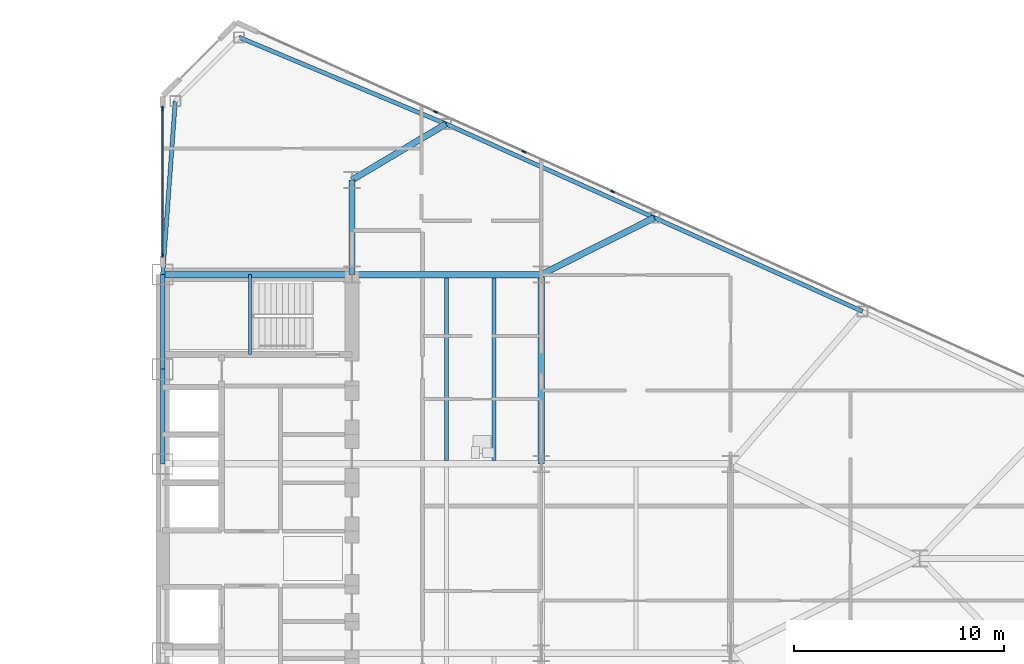
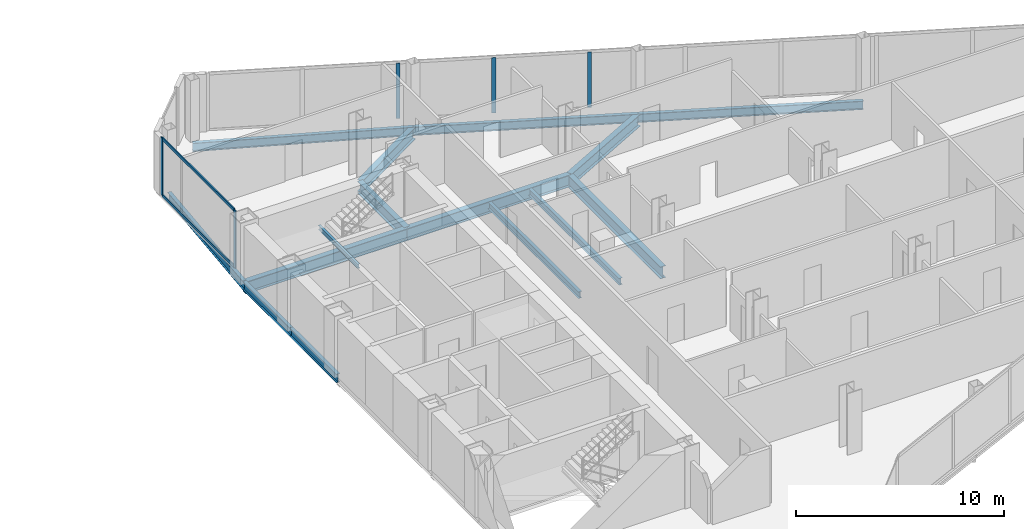
# One storey, part 13 of 27: 15 beams, 7 members, 2 elements without a shape of their own.
"""IFC4 building model written with IfcOpenShell, lengths in metres."""

from ifc_helpers import new_model, si_unit, direction, frame, origin, origin_2d, place, context, subcontext, project, spatial, rectangle, i_section, extrude, source, transform, mapped, material, layer, layer_set, material_profile, profile_set, type_object, type_shapes, element, aggregate, save


model = new_model("IFC4")

# Units and contexts
model_context = context("Model", 3, precision=1e-05, world=origin(), true_north=direction((0.0, 1.0)))
body_context = subcontext(model_context, "Body", "Model", "MODEL_VIEW")
ifc_project = project(units=[si_unit("LENGTHUNIT", "METRE"), si_unit("AREAUNIT", "SQUARE_METRE"), si_unit("VOLUMEUNIT", "CUBIC_METRE"), si_unit("PLANEANGLEUNIT", "RADIAN"), si_unit("MASSUNIT", "GRAM", prefix="KILO")], contexts=[model_context])

# Site, building, storey
site_placement = place(None, origin())
site = spatial("IfcSite", under=ifc_project, at=site_placement, CompositionType="ELEMENT")
building_placement = place(site_placement, origin())
building = spatial("IfcBuilding", under=site, at=building_placement, Name="Seokmaru Belvedere", CompositionType="ELEMENT")
storey_placement = place(building_placement, frame((0.0, 0.0, 103.199951171875)))
storey = spatial("IfcBuildingStorey", under=building, at=storey_placement, Name="L27", CompositionType="ELEMENT", Elevation=103.199951171875)

# Beams
ifc_material_1 = material(Name="Steel SM355 (355 MPa)", Category="steel")
ifc_material_profile_1 = material_profile(ifc_material_1, i_section(OverallWidth=0.199951171875, OverallDepth=0.5, WebThickness=0.010009765625, FlangeThickness=0.01611328125, at=origin_2d()), Name="H-500x200x10x16")
ifc_profile_set_1 = profile_set([ifc_material_profile_1], Name="Steel SM355 (355 MPa)")
beam_type_1 = type_object("IfcBeamType", Name="Perimeter Spandrel Beam H-500", PredefinedType="SPANDREL", material=ifc_profile_set_1)
shared_shape_1 = source(origin(), body_context, "Body", "SweptSolid", [
    extrude(i_section(OverallWidth=0.199951171875, OverallDepth=0.5, WebThickness=0.010009765625, FlangeThickness=0.01611328125, at=origin_2d()), origin(), (0.0, 0.0, 1.0), 4.5),
])
for number, where, z_axis, x_axis, name in (
    (1, (27.5, 4.5, -0.469970703125), (0.0, 1.0, 0.0), (-1.0, 0.0, 0.0), "L27 E Portal Spine Spandrel 4"),
    (2, (27.5, 9.0, -0.469970703125), (0.0, 1.0, 0.0), (-1.0, 0.0, 0.0), "L27 E Portal Spine Spandrel 5"),
):
    element("IfcBeam", number, at=place(storey_placement, frame(where, z_axis=z_axis, x_axis=x_axis)), inside=storey, type_object=beam_type_1, Name=name, PredefinedType="SPANDREL", context=body_context, shape_type="MappedRepresentation", body=[
        mapped(shared_shape_1, transform((0.0, 0.0, 0.0), scale=1.0)),
    ])
ifc_material_profile_2 = material_profile(ifc_material_1, i_section(OverallWidth=0.300048828125, OverallDepth=0.699951171875, WebThickness=0.012939453125, FlangeThickness=0.02392578125, at=origin_2d()), Name="H-700x300x13x24")
ifc_profile_set_2 = profile_set([ifc_material_profile_2], Name="Steel SM355 (355 MPa)")
beam_type_2 = type_object("IfcBeamType", Name="Primary Floor Girder H-700", PredefinedType="BEAM", material=ifc_profile_set_2)
shared_shape_2 = source(origin(), body_context, "Body", "SweptSolid", [
    extrude(i_section(OverallWidth=0.300048828125, OverallDepth=0.699951171875, WebThickness=0.012939453125, FlangeThickness=0.02392578125, at=origin_2d()), origin(), (0.0, 0.0, 1.0), 4.5),
])
beam_1_placement = place(storey_placement, frame((36.5, 13.5, -0.570068359375), z_axis=(0.0, 1.0, 0.0), x_axis=(-1.0, 0.0, 0.0)))
element("IfcBeam", 3, at=beam_1_placement, inside=storey, type_object=beam_type_2, Name="L27 E Core Shoulder Girder N", PredefinedType="BEAM", context=body_context, shape_type="MappedRepresentation", body=[
    mapped(shared_shape_2, transform((0.0, 0.0, 0.0), scale=1.0)),
])
shared_shape_3 = source(origin(), body_context, "Body", "SweptSolid", [
    extrude(i_section(OverallWidth=0.300048828125, OverallDepth=0.699951171875, WebThickness=0.012939453125, FlangeThickness=0.02392578125, at=origin_2d()), origin(), (0.0, 0.0, 1.0), 9.0),
])
for number, where, z_axis, x_axis, name in (
    (4, (45.5, 4.5, -0.570068359375), (0.0, 1.0, 0.0), (-1.0, 0.0, 0.0), "L27 E Interior Grid Girder 3"),
    (5, (27.5, 13.5, -0.570068359375), (1.0, 0.0, 0.0), (0.0, 1.0, 0.0), "L27 E Core Tie Girder 4"),
    (6, (36.5, 13.5, -0.570068359375), (1.0, 0.0, 0.0), (0.0, 1.0, 0.0), "L27 E Wing Primary Girder 4"),
):
    element("IfcBeam", number, at=place(storey_placement, frame(where, z_axis=z_axis, x_axis=x_axis)), inside=storey, type_object=beam_type_2, Name=name, PredefinedType="BEAM", context=body_context, shape_type="MappedRepresentation", body=[
        mapped(shared_shape_3, transform((0.0, 0.0, 0.0), scale=1.0)),
    ])
ifc_material_profile_3 = material_profile(ifc_material_1, i_section(OverallWidth=0.18505859375, OverallDepth=0.389892578125, WebThickness=0.008056640625, FlangeThickness=0.011962890625, at=origin_2d()), Name="H-390x185x8x12")
ifc_profile_set_3 = profile_set([ifc_material_profile_3], Name="Steel SM355 (355 MPa)")
beam_type_3 = type_object("IfcBeamType", Name="Secondary Floor Joist H-350", PredefinedType="JOIST", material=ifc_profile_set_3)
shared_shape_4 = source(origin(), body_context, "Body", "SweptSolid", [
    extrude(i_section(OverallWidth=0.18505859375, OverallDepth=0.389892578125, WebThickness=0.008056640625, FlangeThickness=0.011962890625, at=origin_2d()), origin(), (0.0, 0.0, 1.0), 8.68994140625),
])
type_shapes(beam_type_3, [shared_shape_4])
for number, where, z_axis, x_axis, name in (
    (7, (43.25, 4.655029296875, -0.4150390625), (0.0, 1.0, 0.0), (-1.0, 0.0, 0.0), "L27 E Wing Inner Secondary Joist 2"),
    (8, (41.0, 4.655029296875, -0.4150390625), (0.0, 1.0, 0.0), (-1.0, 0.0, 0.0), "L27 E Secondary Floor Joist 3"),
):
    element("IfcBeam", number, at=place(storey_placement, frame(where, z_axis=z_axis, x_axis=x_axis)), inside=storey, type_object=beam_type_3, Name=name, PredefinedType="JOIST", context=body_context, shape_type="MappedRepresentation", body=[
        mapped(shared_shape_4, transform((0.0, 0.0, 0.0), scale=1.0)),
    ])
shared_shape_5 = source(origin(), body_context, "Body", "SweptSolid", [
    extrude(i_section(OverallWidth=0.199951171875, OverallDepth=0.5, WebThickness=0.010009765625, FlangeThickness=0.01611328125, at=origin_2d()), origin(), (0.0, 0.0, 1.0), 10.66943359375),
])
beam_2_placement = place(storey_placement, frame((31.13134765625, 24.782958984375, -0.469970703125), z_axis=(0.922375393128, -0.386294750355, 0.0), x_axis=(0.386294750355, 0.922375393128, 0.0)))
element("IfcBeam", 9, at=beam_2_placement, inside=storey, type_object=beam_type_1, Name="L27 E Faceted Flank Spandrel N-1", PredefinedType="SPANDREL", context=body_context, shape_type="MappedRepresentation", body=[
    mapped(shared_shape_5, transform((0.0, 0.0, 0.0), scale=1.0)),
])
shared_shape_6 = source(origin(), body_context, "Body", "SweptSolid", [
    extrude(i_section(OverallWidth=0.199951171875, OverallDepth=0.5, WebThickness=0.010009765625, FlangeThickness=0.01611328125, at=origin_2d()), origin(), (0.0, 0.0, 1.0), 10.85888671875),
])
for number, where, z_axis, x_axis, name in (
    (10, (40.97265625, 20.661376953125, -0.469970703125), (0.911921505175, -0.410364677329, 0.0), (0.410364677329, 0.911921505175, 0.0), "L27 E Faceted Flank Spandrel N-2"),
    (11, (50.875, 16.205322265625, -0.469970703125), (0.911925291223, -0.410356263785, 0.0), (0.410356263785, 0.911925291223, 0.0), "L27 E Faceted Flank Spandrel N-3"),
):
    element("IfcBeam", number, at=place(storey_placement, frame(where, z_axis=z_axis, x_axis=x_axis)), inside=storey, type_object=beam_type_1, Name=name, PredefinedType="SPANDREL", context=body_context, shape_type="MappedRepresentation", body=[
        mapped(shared_shape_6, transform((0.0, 0.0, 0.0), scale=1.0)),
    ])
shared_shape_7 = source(origin(), body_context, "Body", "SweptSolid", [
    extrude(i_section(OverallWidth=0.199951171875, OverallDepth=0.5, WebThickness=0.010009765625, FlangeThickness=0.01611328125, at=origin_2d()), origin(), (0.0, 0.0, 1.0), 8.273193359375),
])
type_shapes(beam_type_1, [shared_shape_1, shared_shape_5, shared_shape_6, shared_shape_7])
beam_3_placement = place(storey_placement, frame((28.10009765625, 21.75146484375, -0.469970703125), z_axis=(-0.072534628348, -0.99736589459, 0.0), x_axis=(0.99736589459, -0.072534628348, 0.0)))
element("IfcBeam", 12, at=beam_3_placement, inside=storey, type_object=beam_type_1, Name="L27 E Shoulder Spine Spandrel N", PredefinedType="SPANDREL", context=body_context, shape_type="MappedRepresentation", body=[
    mapped(shared_shape_7, transform((0.0, 0.0, 0.0), scale=1.0)),
])
shared_shape_8 = source(origin(), body_context, "Body", "SweptSolid", [
    extrude(i_section(OverallWidth=0.300048828125, OverallDepth=0.699951171875, WebThickness=0.012939453125, FlangeThickness=0.02392578125, at=origin_2d()), origin(), (0.0, 0.0, 1.0), 5.20458984375),
])
beam_4_placement = place(storey_placement, frame((40.97265625, 20.661376953125, -0.570068359375), z_axis=(-0.859370434188, -0.511353553662, 0.0), x_axis=(0.511353553662, -0.859370434188, 0.0)))
element("IfcBeam", 13, at=beam_4_placement, inside=storey, type_object=beam_type_2, Name="L27 E Flank Radial Floor Girder N-1", PredefinedType="BEAM", context=body_context, shape_type="MappedRepresentation", body=[
    mapped(shared_shape_8, transform((0.0, 0.0, 0.0), scale=1.0)),
])
shared_shape_9 = source(origin(), body_context, "Body", "SweptSolid", [
    extrude(i_section(OverallWidth=0.300048828125, OverallDepth=0.699951171875, WebThickness=0.012939453125, FlangeThickness=0.02392578125, at=origin_2d()), origin(), (0.0, 0.0, 1.0), 6.017333984375),
])
type_shapes(beam_type_2, [shared_shape_2, shared_shape_3, shared_shape_8, shared_shape_9])
beam_5_placement = place(storey_placement, frame((50.875, 16.205322265625, -0.570068359375), z_axis=(-0.893239341975, -0.449581447512, 0.0), x_axis=(0.449581447512, -0.893239341975, 0.0)))
element("IfcBeam", 14, at=beam_5_placement, inside=storey, type_object=beam_type_2, Name="L27 E Flank Radial Floor Girder N-2", PredefinedType="BEAM", context=body_context, shape_type="MappedRepresentation", body=[
    mapped(shared_shape_9, transform((0.0, 0.0, 0.0), scale=1.0)),
])

# Curtain wall, members
ifc_material_2 = material(Name="Bronze Triple Insulating Glass", Category="glass")
ifc_layer = layer(ifc_material_2, 0.195068359375)
ifc_layer_set = layer_set([ifc_layer], Name="Bronze Triple Insulating Glass")
curtain_wall_type = type_object("IfcCurtainWallType", Name="Lower-Mid Tapered Curtain Wall System CW-3", PredefinedType="NOTDEFINED", material=ifc_layer_set)
curtain_wall_1_placement = place(storey_placement, origin())
curtain_wall_1 = element("IfcCurtainWall", 15, at=curtain_wall_1_placement, inside=storey, type_object=curtain_wall_type, Name="L27 Curtain Wall ESP_2", PredefinedType="NOTDEFINED")
ifc_material_3 = material(Name="Anodised Bronze Aluminium", Category="aluminium")
ifc_material_profile_4 = material_profile(ifc_material_3, rectangle(XDim=0.070068359375, YDim=0.1650390625, at=origin_2d()), Name="CW-T-70x165")
ifc_profile_set_4 = profile_set([ifc_material_profile_4], Name="Anodised Bronze Aluminium")
member_type_1 = type_object("IfcMemberType", Name="Bronze Unitised Transom 70x165", PredefinedType="USERDEFINED", material=ifc_profile_set_4)
shared_shape_10 = source(origin(), body_context, "Body", "SweptSolid", [
    extrude(rectangle(XDim=0.070068359375, YDim=0.1650390625, at=origin_2d()), origin(), (0.0, 0.0, 1.0), 6.91015625),
])
type_shapes(member_type_1, [shared_shape_10])
member_1_placement = place(storey_placement, frame((27.5, 21.360107421875, 0.03515625), z_axis=(0.0, -1.0, 0.0), x_axis=(1.0, 0.0, 0.0)))
member_1 = element("IfcMember", 16, at=member_1_placement, type_object=member_type_1, Name="CW:L27:ESP_2 Continuous Transom 1", ObjectType="TRANSOM", PredefinedType="USERDEFINED", context=body_context, shape_type="MappedRepresentation", body=[
    mapped(shared_shape_10, transform((0.0, 0.0, 0.0), scale=1.0)),
])
member_2_placement = place(storey_placement, frame((27.5, 21.360107421875, 3.344970703125), z_axis=(0.0, -1.0, 0.0), x_axis=(1.0, 0.0, 0.0)))
member_2 = element("IfcMember", 17, at=member_2_placement, type_object=member_type_1, Name="CW:L27:ESP_2 Continuous Transom 2", ObjectType="TRANSOM", PredefinedType="USERDEFINED", context=body_context, shape_type="MappedRepresentation", body=[
    mapped(shared_shape_10, transform((0.0, 0.0, 0.0), scale=1.0)),
])

curtain_wall_2_placement = place(storey_placement, origin())
curtain_wall_2 = element("IfcCurtainWall", 18, at=curtain_wall_2_placement, inside=storey, type_object=curtain_wall_type, Name="L27 Curtain Wall EF3", PredefinedType="NOTDEFINED")
ifc_material_profile_5 = material_profile(ifc_material_3, rectangle(XDim=0.070068359375, YDim=0.195068359375, at=origin_2d()), Name="CW-M-70x195")
ifc_profile_set_5 = profile_set([ifc_material_profile_5], Name="Anodised Bronze Aluminium")
member_type_2 = type_object("IfcMemberType", Name="Bronze Unitised Mullion 70x195", PredefinedType="MULLION", material=ifc_profile_set_5)
shared_shape_11 = source(origin(), body_context, "Body", "SweptSolid", [
    extrude(rectangle(XDim=0.070068359375, YDim=0.195068359375, at=origin_2d()), origin(), (0.0, 0.0, 1.0), 3.239990234375),
])
member_3_placement = place(storey_placement, frame((48.894287109375, 17.447509765625, 0.070068359375), z_axis=(0.0, 0.0, 1.0), x_axis=(-0.41036554765, -0.91192111353, 0.0)))
member_3 = element("IfcMember", 19, at=member_3_placement, type_object=member_type_2, Name="CW:L27:EF3 Mullion 6", PredefinedType="MULLION", context=body_context, shape_type="MappedRepresentation", body=[
    mapped(shared_shape_11, transform((0.0, 0.0, 0.0), scale=1.0)),
])
member_4_placement = place(storey_placement, frame((44.682861328125, 19.3427734375, 0.070068359375), z_axis=(0.0, 0.0, 1.0), x_axis=(-0.41036554765, -0.91192111353, 0.0)))
member_4 = element("IfcMember", 20, at=member_4_placement, type_object=member_type_2, Name="CW:L27:EF3 Mullion 7", PredefinedType="MULLION", context=body_context, shape_type="MappedRepresentation", body=[
    mapped(shared_shape_11, transform((0.0, 0.0, 0.0), scale=1.0)),
])
member_5_placement = place(storey_placement, frame((40.471435546875, 21.23779296875, 0.070068359375), z_axis=(0.0, 0.0, 1.0), x_axis=(-0.41036554765, -0.91192111353, 0.0)))
member_5 = element("IfcMember", 21, at=member_5_placement, type_object=member_type_2, Name="CW:L27:EF3 Mullion 8", PredefinedType="MULLION", context=body_context, shape_type="MappedRepresentation", body=[
    mapped(shared_shape_11, transform((0.0, 0.0, 0.0), scale=1.0)),
])
aggregate(curtain_wall_2, [member_3, member_4, member_5])

# Member
shared_shape_12 = source(origin(), body_context, "Body", "SweptSolid", [
    extrude(rectangle(XDim=0.070068359375, YDim=0.195068359375, at=origin_2d()), origin(), (0.0, 0.0, 1.0), 3.380126953125),
])
type_shapes(member_type_2, [shared_shape_11, shared_shape_12])
member_6_placement = place(storey_placement, frame((27.5, 21.39501953125, 0.0), z_axis=(0.0, 0.0, 1.0), x_axis=(1.0, 0.0, 0.0)))
member_6 = element("IfcMember", 22, at=member_6_placement, type_object=member_type_2, Name="CW:L27:ESP_2 Mullion 1", PredefinedType="MULLION", context=body_context, shape_type="MappedRepresentation", body=[
    mapped(shared_shape_12, transform((0.0, 0.0, 0.0), scale=1.0)),
])

member_7_placement = place(storey_placement, frame((27.5, 14.4150390625, 0.0), z_axis=(0.0, 0.0, 1.0), x_axis=(1.0, 0.0, 0.0)))
member_7 = element("IfcMember", 23, at=member_7_placement, type_object=member_type_2, Name="CW:L27:ESP_2 Mullion 2", PredefinedType="MULLION", context=body_context, shape_type="MappedRepresentation", body=[
    mapped(shared_shape_12, transform((0.0, 0.0, 0.0), scale=1.0)),
])

aggregate(curtain_wall_1, [member_6, member_7, member_1, member_2])

# Beam
ifc_material_profile_6 = material_profile(ifc_material_1, i_section(OverallWidth=0.125, OverallDepth=0.25, WebThickness=0.006103515625, FlangeThickness=0.009033203125, at=origin_2d()), Name="H-250x125x6x9")
ifc_profile_set_6 = profile_set([ifc_material_profile_6], Name="Steel SM355 (355 MPa)")
beam_type_4 = type_object("IfcBeamType", Name="Stair Mid-Landing Support Beam H-250", PredefinedType="JOIST", material=ifc_profile_set_6)
shared_shape_13 = source(origin(), body_context, "Body", "SweptSolid", [
    extrude(i_section(OverallWidth=0.125, OverallDepth=0.25, WebThickness=0.006103515625, FlangeThickness=0.009033203125, at=origin_2d()), origin(), (0.0, 0.0, 1.0), 3.800048828125),
])
type_shapes(beam_type_4, [shared_shape_13])
beam_6_placement = place(storey_placement, frame((31.64990234375, 9.699951171875, 1.47509765625), z_axis=(0.0, 1.0, 0.0), x_axis=(-1.0, 0.0, 0.0)))
element("IfcBeam", 24, at=beam_6_placement, inside=storey, type_object=beam_type_4, Name="L27 Stair ST-E2 Mid-Landing Support Beam 1", PredefinedType="JOIST", context=body_context, shape_type="MappedRepresentation", body=[
    mapped(shared_shape_13, transform((0.0, 0.0, 0.0), scale=1.0)),
])

save(model, "model.ifc")
